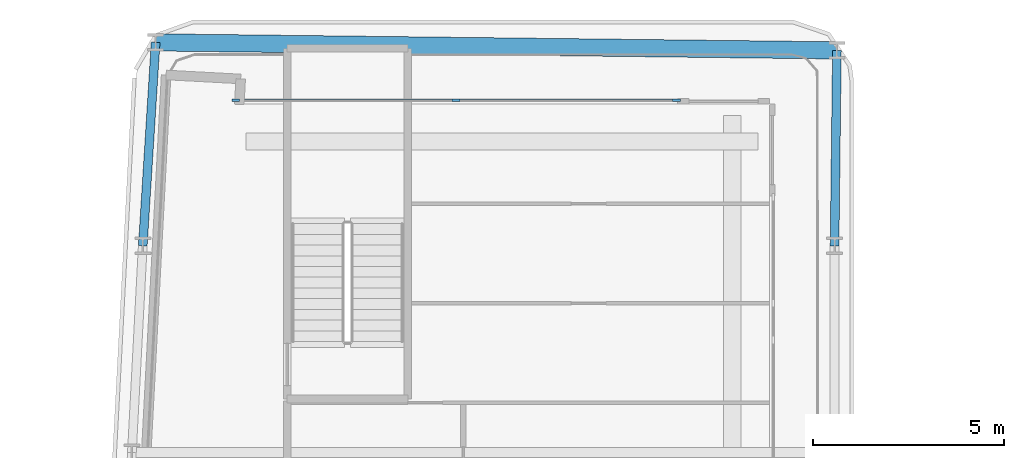
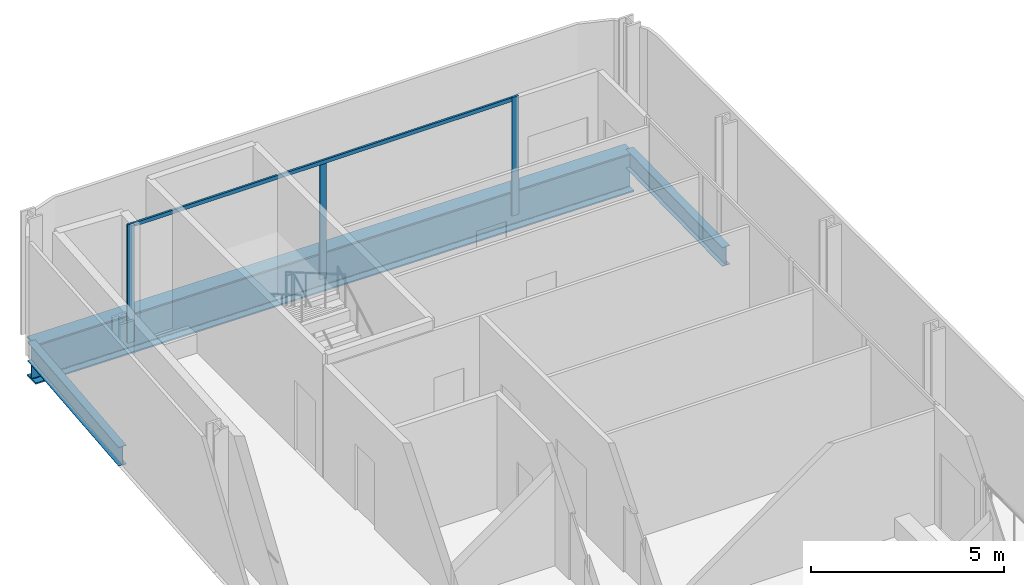
# One storey, part 9 of 27: 4 members, 3 beams, 1 element without a shape of its own.
"""IFC4 building model written with IfcOpenShell, lengths in metres."""

from ifc_helpers import new_model, si_unit, direction, frame, origin, origin_2d, place, context, subcontext, project, spatial, rectangle, i_section, extrude, material, layer, layer_set, material_profile, profile_set, type_object, element, aggregate, save


model = new_model("IFC4")

# Units and contexts
model_context = context("Model", 3, precision=1e-05, world=origin(), true_north=direction((0.0, 1.0)))
body_context = subcontext(model_context, "Body", "Model", "MODEL_VIEW")
ifc_project = project(units=[si_unit("LENGTHUNIT", "METRE"), si_unit("AREAUNIT", "SQUARE_METRE"), si_unit("VOLUMEUNIT", "CUBIC_METRE"), si_unit("PLANEANGLEUNIT", "RADIAN"), si_unit("MASSUNIT", "GRAM", prefix="KILO")], contexts=[model_context])

# Site, building, storey
site_placement = place(None, origin())
site = spatial("IfcSite", under=ifc_project, at=site_placement, CompositionType="ELEMENT")
building_placement = place(site_placement, origin())
building = spatial("IfcBuilding", under=site, at=building_placement, Name="Kheshtan School and Residences Tower", CompositionType="ELEMENT")
storey_placement = place(building_placement, frame((0.0, 0.0, 98.0)))
storey = spatial("IfcBuildingStorey", under=building, at=storey_placement, Name="L22", CompositionType="ELEMENT", Elevation=98.0)

# Beams
ifc_material_1 = material(Name="Steel ASTM A992 Grade 50", Category="steel")
ifc_material_profile_1 = material_profile(ifc_material_1, i_section(OverallWidth=0.22802734375, OverallDepth=0.60302734375, WebThickness=0.010498046875, FlangeThickness=0.014892578125, FilletRadius=0.013427734375, at=origin_2d()), Name="W610x101")
ifc_profile_set_1 = profile_set([ifc_material_profile_1], Name="Steel ASTM A992 Grade 50")
beam_type_1 = type_object("IfcBeamType", Name="Beam SP2 W610x101 ASTM A992 Grade 50", PredefinedType="BEAM", material=ifc_profile_set_1)
beam_1_placement = place(storey_placement, frame((47.660888671875, 88.506103515625, -0.451416015625), z_axis=(-0.011904487479, -0.999929139078, 0.0), x_axis=(0.999929139078, -0.011904487479, 0.0)))
element("IfcBeam", 1, at=beam_1_placement, inside=storey, type_object=beam_type_1, Name="Spandrel beam C092-C091", PredefinedType="BEAM", context=body_context, shape_type="SweptSolid", body=[
    extrude(i_section(OverallWidth=0.22802734375, OverallDepth=0.60302734375, WebThickness=0.010498046875, FlangeThickness=0.014892578125, FilletRadius=0.013427734375, at=origin_2d()), origin(), (0.0, 0.0, 1.0), 5.1064453125),
])
beam_2_placement = place(storey_placement, frame((29.527099609375, 83.39990234375, -0.451416015625), z_axis=(0.063077482832, 0.998008632808, 0.0), x_axis=(-0.998008632808, 0.063077482832, 0.0)))
element("IfcBeam", 2, at=beam_2_placement, inside=storey, type_object=beam_type_1, Name="Spandrel beam C090-C097", PredefinedType="BEAM", context=body_context, shape_type="SweptSolid", body=[
    extrude(i_section(OverallWidth=0.22802734375, OverallDepth=0.60302734375, WebThickness=0.010498046875, FlangeThickness=0.014892578125, FilletRadius=0.013427734375, at=origin_2d()), origin(), (0.0, 0.0, 1.0), 5.32568359375),
])

# Curtain wall, members
ifc_material_2 = material(Name="Clear low-e glass in thermally broken aluminium frame", Category="aluminium")
ifc_layer = layer(ifc_material_2, 0.199951171875)
ifc_layer_set = layer_set([ifc_layer], Name="Curtain wall CW-L")
curtain_wall_type = type_object("IfcCurtainWallType", Name="Curtain wall CW-L", PredefinedType="NOTDEFINED", material=ifc_layer_set)
curtain_wall_placement = place(storey_placement, origin())
curtain_wall = element("IfcCurtainWall", 3, at=curtain_wall_placement, inside=storey, type_object=curtain_wall_type, Name="Curtain wall CWL3", PredefinedType="NOTDEFINED")
ifc_material_3 = material(Name="Thermally broken aluminium, dark bronze anodised", Category="aluminium")
ifc_material_profile_2 = material_profile(ifc_material_3, rectangle(XDim=0.06005859375, YDim=0.199951171875, at=origin_2d()), Name="CW-L mullion 60x200")
ifc_profile_set_2 = profile_set([ifc_material_profile_2], Name="Thermally broken aluminium, dark bronze anodised")
member_type_1 = type_object("IfcMemberType", Name="CW-L mullion 60x200", PredefinedType="MULLION", material=ifc_profile_set_2)
member_1_placement = place(storey_placement, frame((31.9541015625, 87.199951171875, 0.0), z_axis=(0.0, 0.0, 1.0), x_axis=(0.0, 1.0, 0.0)))
member_1 = element("IfcMember", 4, at=member_1_placement, type_object=member_type_1, Name="CWL3 mullion 1", PredefinedType="MULLION", context=body_context, shape_type="SweptSolid", body=[
    extrude(rectangle(XDim=0.06005859375, YDim=0.199951171875, at=origin_2d()), origin(), (0.0, 0.0, 1.0), 3.75),
])
member_2_placement = place(storey_placement, frame((37.7119140625, 87.199951171875, 0.0), z_axis=(0.0, 0.0, 1.0), x_axis=(0.0, 1.0, 0.0)))
member_2 = element("IfcMember", 5, at=member_2_placement, type_object=member_type_1, Name="CWL3 mullion 2", PredefinedType="MULLION", context=body_context, shape_type="SweptSolid", body=[
    extrude(rectangle(XDim=0.06005859375, YDim=0.199951171875, at=origin_2d()), origin(), (0.0, 0.0, 1.0), 3.6298828125),
])
member_3_placement = place(storey_placement, frame((43.469970703125, 87.199951171875, 0.0), z_axis=(0.0, 0.0, 1.0), x_axis=(0.0, 1.0, 0.0)))
member_3 = element("IfcMember", 6, at=member_3_placement, type_object=member_type_1, Name="CWL3 mullion 3", PredefinedType="MULLION", context=body_context, shape_type="SweptSolid", body=[
    extrude(rectangle(XDim=0.06005859375, YDim=0.199951171875, at=origin_2d()), origin(), (0.0, 0.0, 1.0), 3.75),
])
ifc_material_profile_3 = material_profile(ifc_material_3, rectangle(XDim=0.06005859375, YDim=0.1201171875, at=origin_2d()), Name="CW-L transom 60x120")
ifc_profile_set_3 = profile_set([ifc_material_profile_3], Name="Thermally broken aluminium, dark bronze anodised")
member_type_2 = type_object("IfcMemberType", Name="CW-L transom 60x120", PredefinedType="USERDEFINED", material=ifc_profile_set_3)
member_4_placement = place(storey_placement, frame((31.98388671875, 87.199951171875, 3.68994140625), z_axis=(1.0, 0.0, 0.0), x_axis=(0.0, 1.0, 0.0)))
member_4 = element("IfcMember", 7, at=member_4_placement, type_object=member_type_2, Name="CWL3 transom 1", ObjectType="TRANSOM", PredefinedType="USERDEFINED", context=body_context, shape_type="SweptSolid", body=[
    extrude(rectangle(XDim=0.06005859375, YDim=0.1201171875, at=origin_2d()), origin(), (0.0, 0.0, 1.0), 11.4560546875),
])
aggregate(curtain_wall, [member_1, member_2, member_3, member_4])

# Beam
ifc_material_profile_4 = material_profile(ifc_material_1, i_section(OverallWidth=0.449951171875, OverallDepth=1.25, WebThickness=0.02490234375, FlangeThickness=0.044921875, FilletRadius=0.03759765625, at=origin_2d()), Name="WWF1250x546")
ifc_profile_set_4 = profile_set([ifc_material_profile_4], Name="Steel ASTM A992 Grade 50")
beam_type_2 = type_object("IfcBeamType", Name="Transfer girder TG4 WWF1250x546 ASTM A992 Grade 50", PredefinedType="BEAM", material=ifc_profile_set_4)
beam_3_placement = place(storey_placement, frame((29.863037109375, 88.715087890625, -0.77490234375), z_axis=(0.999931068525, -0.011741303082, 0.0), x_axis=(0.011741303082, 0.999931068525, 0.0)))
element("IfcBeam", 8, at=beam_3_placement, inside=storey, type_object=beam_type_2, Name="Transfer girder C097-C092", PredefinedType="BEAM", context=body_context, shape_type="SweptSolid", body=[
    extrude(i_section(OverallWidth=0.449951171875, OverallDepth=1.25, WebThickness=0.02490234375, FlangeThickness=0.044921875, FilletRadius=0.03759765625, at=origin_2d()), origin(), (0.0, 0.0, 1.0), 17.799072265625),
])

save(model, "model.ifc")
